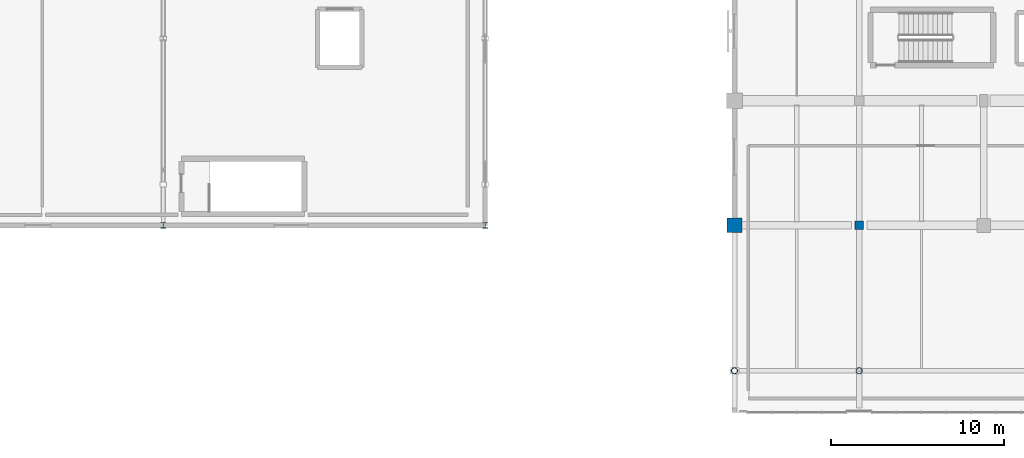
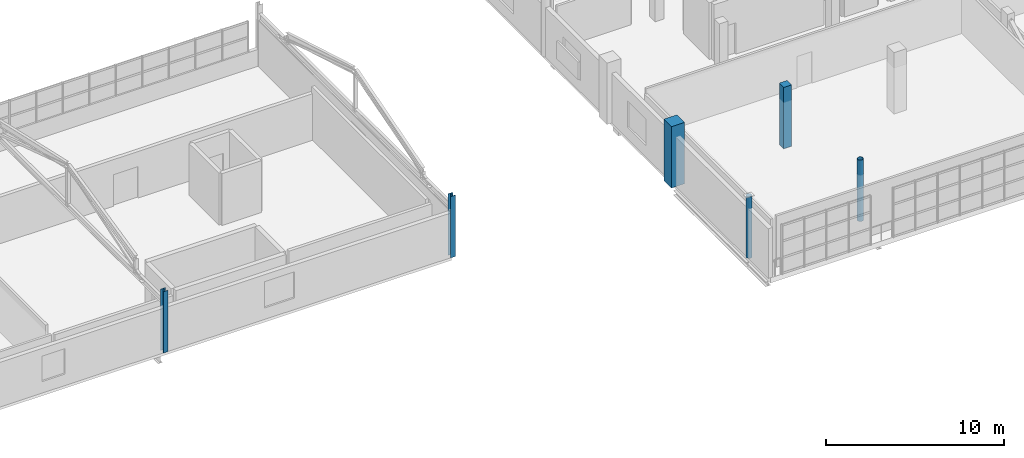
# One storey, part 5 of 90: 6 columns.
"""IFC4 building model written with IfcOpenShell, lengths in metres."""

from ifc_helpers import new_model, si_unit, direction, frame, origin, origin_2d, place, context, subcontext, project, spatial, rectangle, hollow_circle, i_section, extrude, material, material_profile, profile_set, type_object, element, save


model = new_model("IFC4")

# Units and contexts
model_context = context("Model", 3, precision=1e-05, world=origin(), true_north=direction((0.0, 1.0)))
body_context = subcontext(model_context, "Body", "Model", "MODEL_VIEW")
ifc_project = project(units=[si_unit("LENGTHUNIT", "METRE"), si_unit("AREAUNIT", "SQUARE_METRE"), si_unit("VOLUMEUNIT", "CUBIC_METRE"), si_unit("PLANEANGLEUNIT", "RADIAN"), si_unit("MASSUNIT", "GRAM", prefix="KILO")], contexts=[model_context])

# Site, building, storey
site_placement = place(None, origin())
site = spatial("IfcSite", under=ifc_project, at=site_placement, CompositionType="ELEMENT")
building_placement = place(site_placement, origin())
building = spatial("IfcBuilding", under=site, at=building_placement, Name="Solanera Park Tramway Depot", CompositionType="ELEMENT")
storey_placement = place(building_placement, frame((0.0, 0.0, 9.0)))
storey = spatial("IfcBuildingStorey", under=building, at=storey_placement, Name="L02", CompositionType="ELEMENT", Elevation=9.0)

# Columns
ifc_material_1 = material(Name="Concrete N40 (C40/50)", Category="concrete")
ifc_material_profile_1 = material_profile(ifc_material_1, rectangle(XDim=0.5, YDim=0.5, at=origin_2d()), Name="RC 500x500")
ifc_profile_set_1 = profile_set([ifc_material_profile_1], Name="Concrete N40 (C40/50)")
column_type_1 = type_object("IfcColumnType", Name="RC Column Ext RC 500x500", PredefinedType="COLUMN", material=ifc_profile_set_1)
column_1_placement = place(storey_placement, frame((115.199951171875, 10.800048828125, 0.0), z_axis=(0.0, 0.0, 1.0), x_axis=(1.0, 0.0, 0.0)))
element("IfcColumn", 1, at=column_1_placement, inside=storey, type_object=column_type_1, Name="L02 Column V4-X1152-Y108", PredefinedType="COLUMN", context=body_context, shape_type="SweptSolid", body=[
    extrude(rectangle(XDim=0.5, YDim=0.5, at=origin_2d()), origin(), (0.0, 0.0, 1.0), 4.199951171875),
])
ifc_material_2 = material(Name="Concrete N40 (C40/50)", Category="concrete")
ifc_material_profile_2 = material_profile(ifc_material_2, rectangle(XDim=0.85009765625, YDim=0.85009765625, at=origin_2d()), Name="RC 850x850")
ifc_profile_set_2 = profile_set([ifc_material_profile_2], Name="Concrete N40 (C40/50)")
column_type_2 = type_object("IfcColumnType", Name="RC Column Ext RC 850x850", PredefinedType="COLUMN", material=ifc_profile_set_2)
column_2_placement = place(storey_placement, frame((108.0, 10.800048828125, 0.0), z_axis=(0.0, 0.0, 1.0), x_axis=(1.0, 0.0, 0.0)))
element("IfcColumn", 2, at=column_2_placement, inside=storey, type_object=column_type_2, Name="L02 Column V4-X1080-Y108", PredefinedType="COLUMN", context=body_context, shape_type="SweptSolid", body=[
    extrude(rectangle(XDim=0.85009765625, YDim=0.85009765625, at=origin_2d()), origin(), (0.0, 0.0, 1.0), 4.199951171875),
])
ifc_material_3 = material(Name="Steel AS/NZS 3679.1 Grade 350", Category="steel")
ifc_material_profile_3 = material_profile(ifc_material_3, i_section(OverallWidth=0.306884765625, OverallDepth=0.314697265625, WebThickness=0.011962890625, FlangeThickness=0.018798828125, at=origin_2d()), Name="310UC118")
ifc_profile_set_3 = profile_set([ifc_material_profile_3], Name="Steel AS/NZS 3679.1 Grade 350")
column_type_3 = type_object("IfcColumnType", Name="Steel Column Ext 310UC118", PredefinedType="COLUMN", material=ifc_profile_set_3)
for number, where, z_axis, x_axis, name in (
    (3, (75.0, 10.800048828125, 0.0), (0.0, 0.0, 1.0), (1.0, 0.0, 0.0), "L02 Column V2-X750-Y108"),
    (4, (93.60009765625, 10.800048828125, 0.0), (0.0, 0.0, 1.0), (1.0, 0.0, 0.0), "L02 Column V2-X936-Y108"),
):
    element("IfcColumn", number, at=place(storey_placement, frame(where, z_axis=z_axis, x_axis=x_axis)), inside=storey, type_object=column_type_3, Name=name, PredefinedType="COLUMN", context=body_context, shape_type="SweptSolid", body=[
        extrude(i_section(OverallWidth=0.306884765625, OverallDepth=0.314697265625, WebThickness=0.011962890625, FlangeThickness=0.018798828125, at=origin_2d()), origin(), (0.0, 0.0, 1.0), 4.199951171875),
    ])
ifc_material_4 = material(Name="Steel AS/NZS 1163 Grade C350L0", Category="steel")
ifc_material_profile_4 = material_profile(ifc_material_4, hollow_circle(Radius=0.177734375, WallThickness=0.0126953125, at=origin_2d()), Name="355.6x12.7 CHS")
ifc_profile_set_4 = profile_set([ifc_material_profile_4], Name="Steel AS/NZS 1163 Grade C350L0")
column_type_4 = type_object("IfcColumnType", Name="Steel Column Ext 355.6x12.7 CHS", PredefinedType="COLUMN", material=ifc_profile_set_4)
column_3_placement = place(storey_placement, frame((108.0, 2.39990234375, 0.0), z_axis=(0.0, 0.0, 1.0), x_axis=(1.0, 0.0, 0.0)))
element("IfcColumn", 5, at=column_3_placement, inside=storey, type_object=column_type_4, Name="L02 Azotea Support Column 1", PredefinedType="COLUMN", context=body_context, shape_type="SweptSolid", body=[
    extrude(hollow_circle(Radius=0.177734375, WallThickness=0.0126953125, at=origin_2d()), origin(), (0.0, 0.0, 1.0), 4.199951171875),
])
ifc_material_5 = material(Name="Steel AS/NZS 1163 Grade C350L0", Category="steel")
ifc_material_profile_5 = material_profile(ifc_material_5, hollow_circle(Radius=0.177734375, WallThickness=0.0126953125, at=origin_2d()), Name="355.6x12.7 CHS")
ifc_profile_set_5 = profile_set([ifc_material_profile_5], Name="Steel AS/NZS 1163 Grade C350L0")
column_type_5 = type_object("IfcColumnType", Name="Steel Column Int 355.6x12.7 CHS", PredefinedType="COLUMN", material=ifc_profile_set_5)
column_4_placement = place(storey_placement, frame((115.199951171875, 2.39990234375, 0.0), z_axis=(0.0, 0.0, 1.0), x_axis=(1.0, 0.0, 0.0)))
element("IfcColumn", 6, at=column_4_placement, inside=storey, type_object=column_type_5, Name="L02 Overhang Transfer Column 01", PredefinedType="COLUMN", context=body_context, shape_type="SweptSolid", body=[
    extrude(hollow_circle(Radius=0.177734375, WallThickness=0.0126953125, at=origin_2d()), origin(), (0.0, 0.0, 1.0), 4.199951171875),
])

save(model, "model.ifc")
